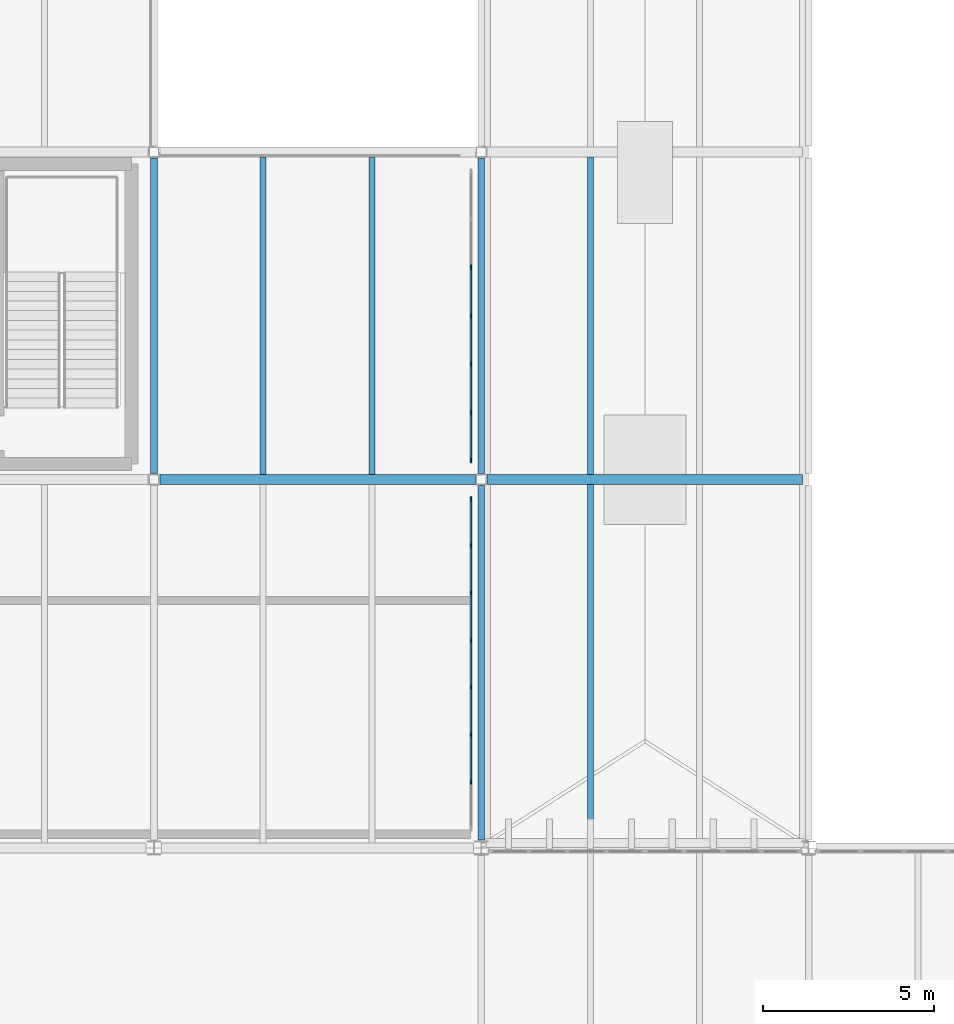
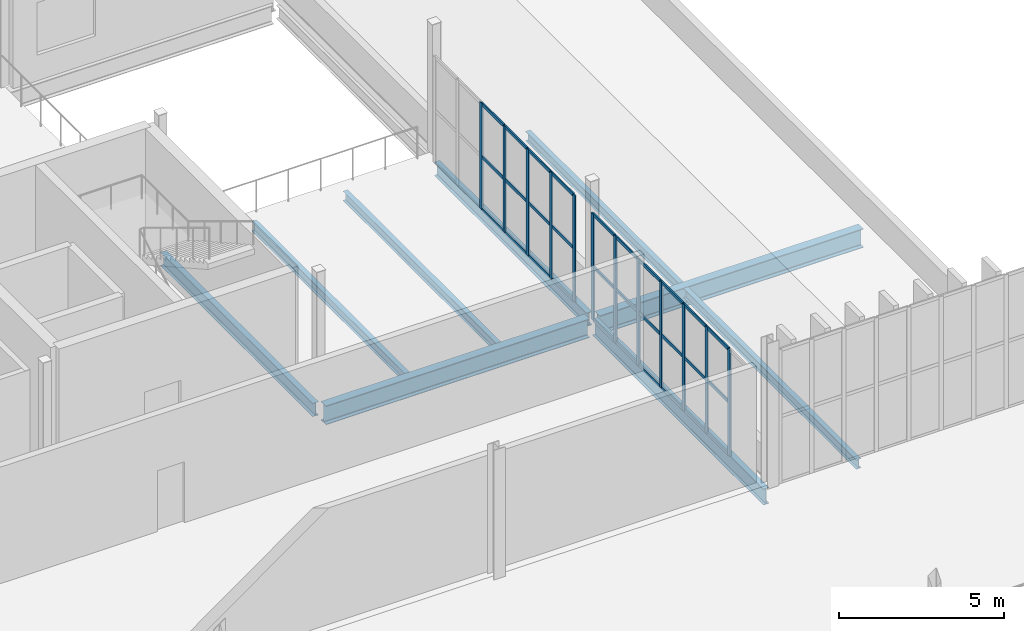
# One storey, part 49 of 112: 42 members, 9 beams, 2 elements without a shape of their own.
"""IFC4 building model written with IfcOpenShell, lengths in metres."""

from ifc_helpers import new_model, si_unit, direction, frame, origin, origin_2d, place, context, subcontext, project, spatial, rectangle, i_section, extrude, material, layer, layer_set, material_profile, profile_set, type_object, element, aggregate, save


model = new_model("IFC4")

# Units and contexts
model_context = context("Model", 3, precision=1e-05, world=origin(), true_north=direction((0.0, 1.0)))
body_context = subcontext(model_context, "Body", "Model", "MODEL_VIEW")
ifc_project = project(units=[si_unit("LENGTHUNIT", "METRE"), si_unit("AREAUNIT", "SQUARE_METRE"), si_unit("VOLUMEUNIT", "CUBIC_METRE"), si_unit("PLANEANGLEUNIT", "RADIAN"), si_unit("MASSUNIT", "GRAM", prefix="KILO")], contexts=[model_context])

# Site, building, storey
site_placement = place(None, origin())
site = spatial("IfcSite", under=ifc_project, at=site_placement, CompositionType="ELEMENT")
building_placement = place(site_placement, origin())
building = spatial("IfcBuilding", under=site, at=building_placement, Name="Yeouljin Market Hall", CompositionType="ELEMENT")
storey_placement = place(building_placement, frame((0.0, 0.0, 6.0)))
storey = spatial("IfcBuildingStorey", under=building, at=storey_placement, Name="L01", CompositionType="ELEMENT", Elevation=6.0)

# Beams
ifc_material_1 = material(Name="Steel SM355", Category="steel")
ifc_material_profile_1 = material_profile(ifc_material_1, i_section(OverallWidth=0.199951171875, OverallDepth=0.5, WebThickness=0.010009765625, FlangeThickness=0.01611328125, FilletRadius=0.02001953125, at=origin_2d()), Name="H-500x200x10x16")
ifc_profile_set_1 = profile_set([ifc_material_profile_1], Name="Steel SM355")
beam_type_1 = type_object("IfcBeamType", Name="Beam_H-500x200x10x16", PredefinedType="BEAM", material=ifc_profile_set_1)
for number, where, z_axis, x_axis, name in (
    (1, (112.199951171875, 88.97509765625, -0.510009765625), (0.0, 1.0, 0.0), (-1.0, 0.0, 0.0), "Primary beam BM-L01-Y191"),
    (2, (121.800048828125, 88.97509765625, -0.530029296875), (0.0, 1.0, 0.0), (-1.0, 0.0, 0.0), "Primary beam BM-L01-Y197"),
):
    element("IfcBeam", number, at=place(storey_placement, frame(where, z_axis=z_axis, x_axis=x_axis)), inside=storey, type_object=beam_type_1, Name=name, PredefinedType="BEAM", context=body_context, shape_type="SweptSolid", body=[
        extrude(i_section(OverallWidth=0.199951171875, OverallDepth=0.5, WebThickness=0.010009765625, FlangeThickness=0.01611328125, FilletRadius=0.02001953125, at=origin_2d()), origin(), (0.0, 0.0, 1.0), 9.25),
    ])
ifc_material_2 = material(Name="Steel SM355", Category="steel")
ifc_material_profile_2 = material_profile(ifc_material_2, i_section(OverallWidth=0.199951171875, OverallDepth=0.60009765625, WebThickness=0.010986328125, FlangeThickness=0.01708984375, FilletRadius=0.02197265625, at=origin_2d()), Name="H-600x200x11x17")
ifc_profile_set_2 = profile_set([ifc_material_profile_2], Name="Steel SM355")
beam_type_2 = type_object("IfcBeamType", Name="Beam_H-600x200x11x17", PredefinedType="BEAM", material=ifc_profile_set_2)
beam_1_placement = place(storey_placement, frame((121.800048828125, 78.22509765625, -0.580078125), z_axis=(0.0, 1.0, 0.0), x_axis=(-1.0, 0.0, 0.0)))
element("IfcBeam", 3, at=beam_1_placement, inside=storey, type_object=beam_type_2, Name="Primary beam BM-L01-Y196", PredefinedType="BEAM", context=body_context, shape_type="SweptSolid", body=[
    extrude(i_section(OverallWidth=0.199951171875, OverallDepth=0.60009765625, WebThickness=0.010986328125, FlangeThickness=0.01708984375, FilletRadius=0.02197265625, at=origin_2d()), origin(), (0.0, 0.0, 1.0), 10.39990234375),
])

# Curtain wall, members
ifc_material_3 = material(Name="Thermally Broken Aluminium", Category="aluminium")
ifc_layer = layer(ifc_material_3, 0.14990234375)
ifc_layer_set = layer_set([ifc_layer], Name="Thermally Broken Aluminium")
curtain_wall_type = type_object("IfcCurtainWallType", Name="CW_WingStorefront_System", PredefinedType="USERDEFINED", material=ifc_layer_set)
curtain_wall_1_placement = place(storey_placement, origin())
curtain_wall_1 = element("IfcCurtainWall", 4, at=curtain_wall_1_placement, inside=storey, type_object=curtain_wall_type, Name="Curtain wall CW-CRT-L01-23", ObjectType="CURTAIN WALL", PredefinedType="USERDEFINED")
ifc_material_4 = material(Name="Thermally Broken Aluminium", Category="aluminium")
ifc_material_profile_3 = material_profile(ifc_material_4, rectangle(XDim=0.048095703125, YDim=0.14990234375, at=origin_2d()), Name="CW-MULL-48x150")
ifc_profile_set_3 = profile_set([ifc_material_profile_3], Name="Thermally Broken Aluminium")
member_type_1 = type_object("IfcMemberType", Name="CWMullion_48x150", PredefinedType="MULLION", material=ifc_profile_set_3)
member_1_placement = place(storey_placement, frame((121.5, 95.0166015625, 0.0), z_axis=(0.0, 0.0, 1.0), x_axis=(1.0, 0.0, 0.0)))
member_1 = element("IfcMember", 5, at=member_1_placement, type_object=member_type_1, Name="CW-04 mullion 3", PredefinedType="MULLION", context=body_context, shape_type="SweptSolid", body=[
    extrude(rectangle(XDim=0.048095703125, YDim=0.14990234375, at=origin_2d()), origin(), (0.0, 0.0, 1.0), 3.949951171875),
])
member_2_placement = place(storey_placement, frame((121.5, 93.60009765625, 0.0), z_axis=(0.0, 0.0, 1.0), x_axis=(1.0, 0.0, 0.0)))
member_2 = element("IfcMember", 6, at=member_2_placement, type_object=member_type_1, Name="CW-04 mullion 4", PredefinedType="MULLION", context=body_context, shape_type="SweptSolid", body=[
    extrude(rectangle(XDim=0.048095703125, YDim=0.14990234375, at=origin_2d()), origin(), (0.0, 0.0, 1.0), 3.949951171875),
])
member_3_placement = place(storey_placement, frame((121.5, 92.183349609375, 0.0), z_axis=(0.0, 0.0, 1.0), x_axis=(1.0, 0.0, 0.0)))
member_3 = element("IfcMember", 7, at=member_3_placement, type_object=member_type_1, Name="CW-04 mullion 5", PredefinedType="MULLION", context=body_context, shape_type="SweptSolid", body=[
    extrude(rectangle(XDim=0.048095703125, YDim=0.14990234375, at=origin_2d()), origin(), (0.0, 0.0, 1.0), 3.949951171875),
])
member_4_placement = place(storey_placement, frame((121.5, 90.7666015625, 0.0), z_axis=(0.0, 0.0, 1.0), x_axis=(1.0, 0.0, 0.0)))
member_4 = element("IfcMember", 8, at=member_4_placement, type_object=member_type_1, Name="CW-04 mullion 6", PredefinedType="MULLION", context=body_context, shape_type="SweptSolid", body=[
    extrude(rectangle(XDim=0.048095703125, YDim=0.14990234375, at=origin_2d()), origin(), (0.0, 0.0, 1.0), 3.949951171875),
])
member_5_placement = place(storey_placement, frame((121.5, 89.3740234375, 0.0), z_axis=(0.0, 0.0, 1.0), x_axis=(1.0, 0.0, 0.0)))
member_5 = element("IfcMember", 9, at=member_5_placement, type_object=member_type_1, Name="CW-04 mullion 7", PredefinedType="MULLION", context=body_context, shape_type="SweptSolid", body=[
    extrude(rectangle(XDim=0.048095703125, YDim=0.14990234375, at=origin_2d()), origin(), (0.0, 0.0, 1.0), 3.949951171875),
])

curtain_wall_2_placement = place(storey_placement, origin())
curtain_wall_2 = element("IfcCurtainWall", 10, at=curtain_wall_2_placement, inside=storey, type_object=curtain_wall_type, Name="Curtain wall CW-CRT-L01-24", ObjectType="CURTAIN WALL", PredefinedType="USERDEFINED")
member_6_placement = place(storey_placement, frame((121.5, 88.22607421875, 0.0), z_axis=(0.0, 0.0, 1.0), x_axis=(1.0, 0.0, 0.0)))
member_6 = element("IfcMember", 11, at=member_6_placement, type_object=member_type_1, Name="CW-04 mullion 1", PredefinedType="MULLION", context=body_context, shape_type="SweptSolid", body=[
    extrude(rectangle(XDim=0.048095703125, YDim=0.14990234375, at=origin_2d()), origin(), (0.0, 0.0, 1.0), 3.949951171875),
])
member_7_placement = place(storey_placement, frame((121.5, 86.8642578125, 0.0), z_axis=(0.0, 0.0, 1.0), x_axis=(1.0, 0.0, 0.0)))
member_7 = element("IfcMember", 12, at=member_7_placement, type_object=member_type_1, Name="CW-04 mullion 2", PredefinedType="MULLION", context=body_context, shape_type="SweptSolid", body=[
    extrude(rectangle(XDim=0.048095703125, YDim=0.14990234375, at=origin_2d()), origin(), (0.0, 0.0, 1.0), 3.949951171875),
])
member_8_placement = place(storey_placement, frame((121.5, 85.478515625, 0.0), z_axis=(0.0, 0.0, 1.0), x_axis=(1.0, 0.0, 0.0)))
member_8 = element("IfcMember", 13, at=member_8_placement, type_object=member_type_1, Name="CW-04 mullion 3", PredefinedType="MULLION", context=body_context, shape_type="SweptSolid", body=[
    extrude(rectangle(XDim=0.048095703125, YDim=0.14990234375, at=origin_2d()), origin(), (0.0, 0.0, 1.0), 3.949951171875),
])
member_9_placement = place(storey_placement, frame((121.5, 84.0927734375, 0.0), z_axis=(0.0, 0.0, 1.0), x_axis=(1.0, 0.0, 0.0)))
member_9 = element("IfcMember", 14, at=member_9_placement, type_object=member_type_1, Name="CW-04 mullion 4", PredefinedType="MULLION", context=body_context, shape_type="SweptSolid", body=[
    extrude(rectangle(XDim=0.048095703125, YDim=0.14990234375, at=origin_2d()), origin(), (0.0, 0.0, 1.0), 3.949951171875),
])
member_10_placement = place(storey_placement, frame((121.5, 82.70703125, 0.0), z_axis=(0.0, 0.0, 1.0), x_axis=(1.0, 0.0, 0.0)))
member_10 = element("IfcMember", 15, at=member_10_placement, type_object=member_type_1, Name="CW-04 mullion 5", PredefinedType="MULLION", context=body_context, shape_type="SweptSolid", body=[
    extrude(rectangle(XDim=0.048095703125, YDim=0.14990234375, at=origin_2d()), origin(), (0.0, 0.0, 1.0), 3.949951171875),
])
member_11_placement = place(storey_placement, frame((121.5, 81.321533203125, 0.0), z_axis=(0.0, 0.0, 1.0), x_axis=(1.0, 0.0, 0.0)))
member_11 = element("IfcMember", 16, at=member_11_placement, type_object=member_type_1, Name="CW-04 mullion 6", PredefinedType="MULLION", context=body_context, shape_type="SweptSolid", body=[
    extrude(rectangle(XDim=0.048095703125, YDim=0.14990234375, at=origin_2d()), origin(), (0.0, 0.0, 1.0), 3.949951171875),
])
member_12_placement = place(storey_placement, frame((121.5, 79.935791015625, 0.0), z_axis=(0.0, 0.0, 1.0), x_axis=(1.0, 0.0, 0.0)))
member_12 = element("IfcMember", 17, at=member_12_placement, type_object=member_type_1, Name="CW-04 mullion 7", PredefinedType="MULLION", context=body_context, shape_type="SweptSolid", body=[
    extrude(rectangle(XDim=0.048095703125, YDim=0.14990234375, at=origin_2d()), origin(), (0.0, 0.0, 1.0), 3.949951171875),
])

# Member
ifc_material_5 = material(Name="Thermally Broken Aluminium", Category="aluminium")
ifc_material_profile_4 = material_profile(ifc_material_5, rectangle(XDim=0.048095703125, YDim=0.1201171875, at=origin_2d()), Name="CW-TRAN-48x120")
ifc_profile_set_4 = profile_set([ifc_material_profile_4], Name="Thermally Broken Aluminium")
member_type_2 = type_object("IfcMemberType", Name="CWTransom_48x120", PredefinedType="USERDEFINED", material=ifc_profile_set_4)
member_13_placement = place(storey_placement, frame((121.5, 94.99267578125, 0.02392578125), z_axis=(0.0, -1.0, 0.0), x_axis=(1.0, 0.0, 0.0)))
member_13 = element("IfcMember", 18, at=member_13_placement, type_object=member_type_2, Name="CW-04 transom 3.1", ObjectType="TRANSOM", PredefinedType="USERDEFINED", context=body_context, shape_type="SweptSolid", body=[
    extrude(rectangle(XDim=0.048095703125, YDim=0.1201171875, at=origin_2d()), origin(), (0.0, 0.0, 1.0), 1.36865234375),
])

member_14_placement = place(storey_placement, frame((121.5, 94.99267578125, 1.97509765625), z_axis=(0.0, -1.0, 0.0), x_axis=(1.0, 0.0, 0.0)))
member_14 = element("IfcMember", 19, at=member_14_placement, type_object=member_type_2, Name="CW-04 transom 3.2", ObjectType="TRANSOM", PredefinedType="USERDEFINED", context=body_context, shape_type="SweptSolid", body=[
    extrude(rectangle(XDim=0.048095703125, YDim=0.1201171875, at=origin_2d()), origin(), (0.0, 0.0, 1.0), 1.36865234375),
])

member_15_placement = place(storey_placement, frame((121.5, 94.99267578125, 3.926025390625), z_axis=(0.0, -1.0, 0.0), x_axis=(1.0, 0.0, 0.0)))
member_15 = element("IfcMember", 20, at=member_15_placement, type_object=member_type_2, Name="CW-04 transom 3.3", ObjectType="TRANSOM", PredefinedType="USERDEFINED", context=body_context, shape_type="SweptSolid", body=[
    extrude(rectangle(XDim=0.048095703125, YDim=0.1201171875, at=origin_2d()), origin(), (0.0, 0.0, 1.0), 1.36865234375),
])

member_16_placement = place(storey_placement, frame((121.5, 93.575927734375, 0.02392578125), z_axis=(0.0, -1.0, 0.0), x_axis=(1.0, 0.0, 0.0)))
member_16 = element("IfcMember", 21, at=member_16_placement, type_object=member_type_2, Name="CW-04 transom 4.1", ObjectType="TRANSOM", PredefinedType="USERDEFINED", context=body_context, shape_type="SweptSolid", body=[
    extrude(rectangle(XDim=0.048095703125, YDim=0.1201171875, at=origin_2d()), origin(), (0.0, 0.0, 1.0), 1.36865234375),
])

member_17_placement = place(storey_placement, frame((121.5, 93.575927734375, 1.97509765625), z_axis=(0.0, -1.0, 0.0), x_axis=(1.0, 0.0, 0.0)))
member_17 = element("IfcMember", 22, at=member_17_placement, type_object=member_type_2, Name="CW-04 transom 4.2", ObjectType="TRANSOM", PredefinedType="USERDEFINED", context=body_context, shape_type="SweptSolid", body=[
    extrude(rectangle(XDim=0.048095703125, YDim=0.1201171875, at=origin_2d()), origin(), (0.0, 0.0, 1.0), 1.36865234375),
])

member_18_placement = place(storey_placement, frame((121.5, 93.575927734375, 3.926025390625), z_axis=(0.0, -1.0, 0.0), x_axis=(1.0, 0.0, 0.0)))
member_18 = element("IfcMember", 23, at=member_18_placement, type_object=member_type_2, Name="CW-04 transom 4.3", ObjectType="TRANSOM", PredefinedType="USERDEFINED", context=body_context, shape_type="SweptSolid", body=[
    extrude(rectangle(XDim=0.048095703125, YDim=0.1201171875, at=origin_2d()), origin(), (0.0, 0.0, 1.0), 1.36865234375),
])

member_19_placement = place(storey_placement, frame((121.5, 92.159423828125, 0.02392578125), z_axis=(0.0, -1.0, 0.0), x_axis=(1.0, 0.0, 0.0)))
member_19 = element("IfcMember", 24, at=member_19_placement, type_object=member_type_2, Name="CW-04 transom 5.1", ObjectType="TRANSOM", PredefinedType="USERDEFINED", context=body_context, shape_type="SweptSolid", body=[
    extrude(rectangle(XDim=0.048095703125, YDim=0.1201171875, at=origin_2d()), origin(), (0.0, 0.0, 1.0), 1.36865234375),
])

member_20_placement = place(storey_placement, frame((121.5, 92.159423828125, 1.97509765625), z_axis=(0.0, -1.0, 0.0), x_axis=(1.0, 0.0, 0.0)))
member_20 = element("IfcMember", 25, at=member_20_placement, type_object=member_type_2, Name="CW-04 transom 5.2", ObjectType="TRANSOM", PredefinedType="USERDEFINED", context=body_context, shape_type="SweptSolid", body=[
    extrude(rectangle(XDim=0.048095703125, YDim=0.1201171875, at=origin_2d()), origin(), (0.0, 0.0, 1.0), 1.36865234375),
])

member_21_placement = place(storey_placement, frame((121.5, 92.159423828125, 3.926025390625), z_axis=(0.0, -1.0, 0.0), x_axis=(1.0, 0.0, 0.0)))
member_21 = element("IfcMember", 26, at=member_21_placement, type_object=member_type_2, Name="CW-04 transom 5.3", ObjectType="TRANSOM", PredefinedType="USERDEFINED", context=body_context, shape_type="SweptSolid", body=[
    extrude(rectangle(XDim=0.048095703125, YDim=0.1201171875, at=origin_2d()), origin(), (0.0, 0.0, 1.0), 1.36865234375),
])

member_22_placement = place(storey_placement, frame((121.5, 90.74267578125, 0.02392578125), z_axis=(0.0, -1.0, 0.0), x_axis=(1.0, 0.0, 0.0)))
member_22 = element("IfcMember", 27, at=member_22_placement, type_object=member_type_2, Name="CW-04 transom 6.1", ObjectType="TRANSOM", PredefinedType="USERDEFINED", context=body_context, shape_type="SweptSolid", body=[
    extrude(rectangle(XDim=0.048095703125, YDim=0.1201171875, at=origin_2d()), origin(), (0.0, 0.0, 1.0), 1.3447265625),
])

member_23_placement = place(storey_placement, frame((121.5, 90.74267578125, 1.97509765625), z_axis=(0.0, -1.0, 0.0), x_axis=(1.0, 0.0, 0.0)))
member_23 = element("IfcMember", 28, at=member_23_placement, type_object=member_type_2, Name="CW-04 transom 6.2", ObjectType="TRANSOM", PredefinedType="USERDEFINED", context=body_context, shape_type="SweptSolid", body=[
    extrude(rectangle(XDim=0.048095703125, YDim=0.1201171875, at=origin_2d()), origin(), (0.0, 0.0, 1.0), 1.3447265625),
])

member_24_placement = place(storey_placement, frame((121.5, 90.74267578125, 3.926025390625), z_axis=(0.0, -1.0, 0.0), x_axis=(1.0, 0.0, 0.0)))
member_24 = element("IfcMember", 29, at=member_24_placement, type_object=member_type_2, Name="CW-04 transom 6.3", ObjectType="TRANSOM", PredefinedType="USERDEFINED", context=body_context, shape_type="SweptSolid", body=[
    extrude(rectangle(XDim=0.048095703125, YDim=0.1201171875, at=origin_2d()), origin(), (0.0, 0.0, 1.0), 1.3447265625),
])

aggregate(curtain_wall_1, [member_1, member_2, member_3, member_4, member_5, member_13, member_14, member_15, member_16, member_17, member_18, member_19, member_20, member_21, member_22, member_23, member_24])

member_25_placement = place(storey_placement, frame((121.5, 88.201904296875, 0.02392578125), z_axis=(0.0, -1.0, 0.0), x_axis=(1.0, 0.0, 0.0)))
member_25 = element("IfcMember", 30, at=member_25_placement, type_object=member_type_2, Name="CW-04 transom 1.1", ObjectType="TRANSOM", PredefinedType="USERDEFINED", context=body_context, shape_type="SweptSolid", body=[
    extrude(rectangle(XDim=0.048095703125, YDim=0.1201171875, at=origin_2d()), origin(), (0.0, 0.0, 1.0), 1.313720703125),
])

member_26_placement = place(storey_placement, frame((121.5, 88.201904296875, 1.97509765625), z_axis=(0.0, -1.0, 0.0), x_axis=(1.0, 0.0, 0.0)))
member_26 = element("IfcMember", 31, at=member_26_placement, type_object=member_type_2, Name="CW-04 transom 1.2", ObjectType="TRANSOM", PredefinedType="USERDEFINED", context=body_context, shape_type="SweptSolid", body=[
    extrude(rectangle(XDim=0.048095703125, YDim=0.1201171875, at=origin_2d()), origin(), (0.0, 0.0, 1.0), 1.313720703125),
])

member_27_placement = place(storey_placement, frame((121.5, 88.201904296875, 3.926025390625), z_axis=(0.0, -1.0, 0.0), x_axis=(1.0, 0.0, 0.0)))
member_27 = element("IfcMember", 32, at=member_27_placement, type_object=member_type_2, Name="CW-04 transom 1.3", ObjectType="TRANSOM", PredefinedType="USERDEFINED", context=body_context, shape_type="SweptSolid", body=[
    extrude(rectangle(XDim=0.048095703125, YDim=0.1201171875, at=origin_2d()), origin(), (0.0, 0.0, 1.0), 1.313720703125),
])

member_28_placement = place(storey_placement, frame((121.5, 86.84033203125, 0.02392578125), z_axis=(0.0, -1.0, 0.0), x_axis=(1.0, 0.0, 0.0)))
member_28 = element("IfcMember", 33, at=member_28_placement, type_object=member_type_2, Name="CW-04 transom 2.1", ObjectType="TRANSOM", PredefinedType="USERDEFINED", context=body_context, shape_type="SweptSolid", body=[
    extrude(rectangle(XDim=0.048095703125, YDim=0.1201171875, at=origin_2d()), origin(), (0.0, 0.0, 1.0), 1.337646484375),
])

member_29_placement = place(storey_placement, frame((121.5, 86.84033203125, 1.97509765625), z_axis=(0.0, -1.0, 0.0), x_axis=(1.0, 0.0, 0.0)))
member_29 = element("IfcMember", 34, at=member_29_placement, type_object=member_type_2, Name="CW-04 transom 2.2", ObjectType="TRANSOM", PredefinedType="USERDEFINED", context=body_context, shape_type="SweptSolid", body=[
    extrude(rectangle(XDim=0.048095703125, YDim=0.1201171875, at=origin_2d()), origin(), (0.0, 0.0, 1.0), 1.337646484375),
])

member_30_placement = place(storey_placement, frame((121.5, 86.84033203125, 3.926025390625), z_axis=(0.0, -1.0, 0.0), x_axis=(1.0, 0.0, 0.0)))
member_30 = element("IfcMember", 35, at=member_30_placement, type_object=member_type_2, Name="CW-04 transom 2.3", ObjectType="TRANSOM", PredefinedType="USERDEFINED", context=body_context, shape_type="SweptSolid", body=[
    extrude(rectangle(XDim=0.048095703125, YDim=0.1201171875, at=origin_2d()), origin(), (0.0, 0.0, 1.0), 1.337646484375),
])

member_31_placement = place(storey_placement, frame((121.5, 85.45458984375, 0.02392578125), z_axis=(0.0, -1.0, 0.0), x_axis=(1.0, 0.0, 0.0)))
member_31 = element("IfcMember", 36, at=member_31_placement, type_object=member_type_2, Name="CW-04 transom 3.1", ObjectType="TRANSOM", PredefinedType="USERDEFINED", context=body_context, shape_type="SweptSolid", body=[
    extrude(rectangle(XDim=0.048095703125, YDim=0.1201171875, at=origin_2d()), origin(), (0.0, 0.0, 1.0), 1.337646484375),
])

member_32_placement = place(storey_placement, frame((121.5, 85.45458984375, 1.97509765625), z_axis=(0.0, -1.0, 0.0), x_axis=(1.0, 0.0, 0.0)))
member_32 = element("IfcMember", 37, at=member_32_placement, type_object=member_type_2, Name="CW-04 transom 3.2", ObjectType="TRANSOM", PredefinedType="USERDEFINED", context=body_context, shape_type="SweptSolid", body=[
    extrude(rectangle(XDim=0.048095703125, YDim=0.1201171875, at=origin_2d()), origin(), (0.0, 0.0, 1.0), 1.337646484375),
])

member_33_placement = place(storey_placement, frame((121.5, 85.45458984375, 3.926025390625), z_axis=(0.0, -1.0, 0.0), x_axis=(1.0, 0.0, 0.0)))
member_33 = element("IfcMember", 38, at=member_33_placement, type_object=member_type_2, Name="CW-04 transom 3.3", ObjectType="TRANSOM", PredefinedType="USERDEFINED", context=body_context, shape_type="SweptSolid", body=[
    extrude(rectangle(XDim=0.048095703125, YDim=0.1201171875, at=origin_2d()), origin(), (0.0, 0.0, 1.0), 1.337646484375),
])

member_34_placement = place(storey_placement, frame((121.5, 84.06884765625, 0.02392578125), z_axis=(0.0, -1.0, 0.0), x_axis=(1.0, 0.0, 0.0)))
member_34 = element("IfcMember", 39, at=member_34_placement, type_object=member_type_2, Name="CW-04 transom 4.1", ObjectType="TRANSOM", PredefinedType="USERDEFINED", context=body_context, shape_type="SweptSolid", body=[
    extrude(rectangle(XDim=0.048095703125, YDim=0.1201171875, at=origin_2d()), origin(), (0.0, 0.0, 1.0), 1.337646484375),
])

member_35_placement = place(storey_placement, frame((121.5, 84.06884765625, 1.97509765625), z_axis=(0.0, -1.0, 0.0), x_axis=(1.0, 0.0, 0.0)))
member_35 = element("IfcMember", 40, at=member_35_placement, type_object=member_type_2, Name="CW-04 transom 4.2", ObjectType="TRANSOM", PredefinedType="USERDEFINED", context=body_context, shape_type="SweptSolid", body=[
    extrude(rectangle(XDim=0.048095703125, YDim=0.1201171875, at=origin_2d()), origin(), (0.0, 0.0, 1.0), 1.337646484375),
])

member_36_placement = place(storey_placement, frame((121.5, 84.06884765625, 3.926025390625), z_axis=(0.0, -1.0, 0.0), x_axis=(1.0, 0.0, 0.0)))
member_36 = element("IfcMember", 41, at=member_36_placement, type_object=member_type_2, Name="CW-04 transom 4.3", ObjectType="TRANSOM", PredefinedType="USERDEFINED", context=body_context, shape_type="SweptSolid", body=[
    extrude(rectangle(XDim=0.048095703125, YDim=0.1201171875, at=origin_2d()), origin(), (0.0, 0.0, 1.0), 1.337646484375),
])

member_37_placement = place(storey_placement, frame((121.5, 82.68310546875, 0.02392578125), z_axis=(0.0, -1.0, 0.0), x_axis=(1.0, 0.0, 0.0)))
member_37 = element("IfcMember", 42, at=member_37_placement, type_object=member_type_2, Name="CW-04 transom 5.1", ObjectType="TRANSOM", PredefinedType="USERDEFINED", context=body_context, shape_type="SweptSolid", body=[
    extrude(rectangle(XDim=0.048095703125, YDim=0.1201171875, at=origin_2d()), origin(), (0.0, 0.0, 1.0), 1.337646484375),
])

member_38_placement = place(storey_placement, frame((121.5, 82.68310546875, 1.97509765625), z_axis=(0.0, -1.0, 0.0), x_axis=(1.0, 0.0, 0.0)))
member_38 = element("IfcMember", 43, at=member_38_placement, type_object=member_type_2, Name="CW-04 transom 5.2", ObjectType="TRANSOM", PredefinedType="USERDEFINED", context=body_context, shape_type="SweptSolid", body=[
    extrude(rectangle(XDim=0.048095703125, YDim=0.1201171875, at=origin_2d()), origin(), (0.0, 0.0, 1.0), 1.337646484375),
])

member_39_placement = place(storey_placement, frame((121.5, 82.68310546875, 3.926025390625), z_axis=(0.0, -1.0, 0.0), x_axis=(1.0, 0.0, 0.0)))
member_39 = element("IfcMember", 44, at=member_39_placement, type_object=member_type_2, Name="CW-04 transom 5.3", ObjectType="TRANSOM", PredefinedType="USERDEFINED", context=body_context, shape_type="SweptSolid", body=[
    extrude(rectangle(XDim=0.048095703125, YDim=0.1201171875, at=origin_2d()), origin(), (0.0, 0.0, 1.0), 1.337646484375),
])

member_40_placement = place(storey_placement, frame((121.5, 81.29736328125, 0.02392578125), z_axis=(0.0, -1.0, 0.0), x_axis=(1.0, 0.0, 0.0)))
member_40 = element("IfcMember", 45, at=member_40_placement, type_object=member_type_2, Name="CW-04 transom 6.1", ObjectType="TRANSOM", PredefinedType="USERDEFINED", context=body_context, shape_type="SweptSolid", body=[
    extrude(rectangle(XDim=0.048095703125, YDim=0.1201171875, at=origin_2d()), origin(), (0.0, 0.0, 1.0), 1.337646484375),
])

member_41_placement = place(storey_placement, frame((121.5, 81.29736328125, 1.97509765625), z_axis=(0.0, -1.0, 0.0), x_axis=(1.0, 0.0, 0.0)))
member_41 = element("IfcMember", 46, at=member_41_placement, type_object=member_type_2, Name="CW-04 transom 6.2", ObjectType="TRANSOM", PredefinedType="USERDEFINED", context=body_context, shape_type="SweptSolid", body=[
    extrude(rectangle(XDim=0.048095703125, YDim=0.1201171875, at=origin_2d()), origin(), (0.0, 0.0, 1.0), 1.337646484375),
])

member_42_placement = place(storey_placement, frame((121.5, 81.29736328125, 3.926025390625), z_axis=(0.0, -1.0, 0.0), x_axis=(1.0, 0.0, 0.0)))
member_42 = element("IfcMember", 47, at=member_42_placement, type_object=member_type_2, Name="CW-04 transom 6.3", ObjectType="TRANSOM", PredefinedType="USERDEFINED", context=body_context, shape_type="SweptSolid", body=[
    extrude(rectangle(XDim=0.048095703125, YDim=0.1201171875, at=origin_2d()), origin(), (0.0, 0.0, 1.0), 1.337646484375),
])

aggregate(curtain_wall_2, [member_6, member_7, member_8, member_9, member_10, member_11, member_12, member_25, member_26, member_27, member_28, member_29, member_30, member_31, member_32, member_33, member_34, member_35, member_36, member_37, member_38, member_39, member_40, member_41, member_42])

# Beams
ifc_material_6 = material(Name="Steel SM355", Category="steel")
ifc_material_profile_5 = material_profile(ifc_material_6, i_section(OverallWidth=0.300048828125, OverallDepth=0.699951171875, WebThickness=0.012939453125, FlangeThickness=0.02392578125, FilletRadius=0.02587890625, at=origin_2d()), Name="H-700x300x13x24")
ifc_profile_set_5 = profile_set([ifc_material_profile_5], Name="Steel SM355")
beam_type_3 = type_object("IfcBeamType", Name="Girder_H-700x300x13x24", PredefinedType="USERDEFINED", material=ifc_profile_set_5)
for number, where, z_axis, x_axis, name in (
    (48, (112.375, 88.800048828125, -0.610107421875), (1.0, 0.0, 0.0), (0.0, 1.0, 0.0), "Primary girder GRD-L01-X103"),
    (49, (121.97509765625, 88.800048828125, -0.6298828125), (1.0, 0.0, 0.0), (0.0, 1.0, 0.0), "Primary girder GRD-L01-X104"),
):
    element("IfcBeam", number, at=place(storey_placement, frame(where, z_axis=z_axis, x_axis=x_axis)), inside=storey, type_object=beam_type_3, Name=name, ObjectType="GIRDER", PredefinedType="USERDEFINED", context=body_context, shape_type="SweptSolid", body=[
        extrude(i_section(OverallWidth=0.300048828125, OverallDepth=0.699951171875, WebThickness=0.012939453125, FlangeThickness=0.02392578125, FilletRadius=0.02587890625, at=origin_2d()), origin(), (0.0, 0.0, 1.0), 9.25),
    ])
ifc_material_7 = material(Name="Steel SM355", Category="steel")
ifc_material_profile_6 = material_profile(ifc_material_7, i_section(OverallWidth=0.175048828125, OverallDepth=0.35009765625, WebThickness=0.007080078125, FlangeThickness=0.010986328125, FilletRadius=0.013916015625, at=origin_2d()), Name="H-350x175x7x11")
ifc_profile_set_6 = profile_set([ifc_material_profile_6], Name="Steel SM355")
beam_type_4 = type_object("IfcBeamType", Name="Joist_H-350x175x7x11", PredefinedType="JOIST", material=ifc_profile_set_6)
for number, where, z_axis, x_axis, name in (
    (50, (115.39990234375, 88.947021484375, -0.43505859375), (0.0, 1.0, 0.0), (-1.0, 0.0, 0.0), "Secondary floor joist L01-078"),
    (51, (118.60009765625, 88.947021484375, -0.43505859375), (0.0, 1.0, 0.0), (-1.0, 0.0, 0.0), "Secondary floor joist L01-079"),
):
    element("IfcBeam", number, at=place(storey_placement, frame(where, z_axis=z_axis, x_axis=x_axis)), inside=storey, type_object=beam_type_4, Name=name, PredefinedType="JOIST", context=body_context, shape_type="SweptSolid", body=[
        extrude(i_section(OverallWidth=0.175048828125, OverallDepth=0.35009765625, WebThickness=0.007080078125, FlangeThickness=0.010986328125, FilletRadius=0.013916015625, at=origin_2d()), origin(), (0.0, 0.0, 1.0), 9.305908203125),
    ])
beam_2_placement = place(storey_placement, frame((125.0, 78.14697265625, -0.455078125), z_axis=(0.0, 1.0, 0.0), x_axis=(-1.0, 0.0, 0.0)))
element("IfcBeam", 52, at=beam_2_placement, inside=storey, type_object=beam_type_4, Name="Secondary floor joist L01-086", PredefinedType="JOIST", context=body_context, shape_type="SweptSolid", body=[
    extrude(i_section(OverallWidth=0.175048828125, OverallDepth=0.35009765625, WebThickness=0.007080078125, FlangeThickness=0.010986328125, FilletRadius=0.013916015625, at=origin_2d()), origin(), (0.0, 0.0, 1.0), 10.506103515625),
])
beam_3_placement = place(storey_placement, frame((125.0, 88.947021484375, -0.455078125), z_axis=(0.0, 1.0, 0.0), x_axis=(-1.0, 0.0, 0.0)))
element("IfcBeam", 53, at=beam_3_placement, inside=storey, type_object=beam_type_4, Name="Secondary floor joist L01-088", PredefinedType="JOIST", context=body_context, shape_type="SweptSolid", body=[
    extrude(i_section(OverallWidth=0.175048828125, OverallDepth=0.35009765625, WebThickness=0.007080078125, FlangeThickness=0.010986328125, FilletRadius=0.013916015625, at=origin_2d()), origin(), (0.0, 0.0, 1.0), 9.305908203125),
])

save(model, "model.ifc")
